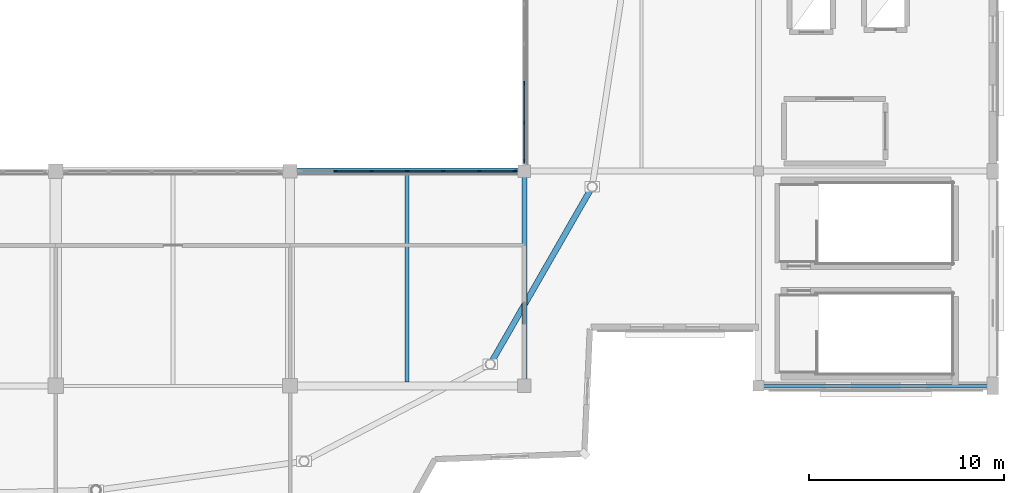
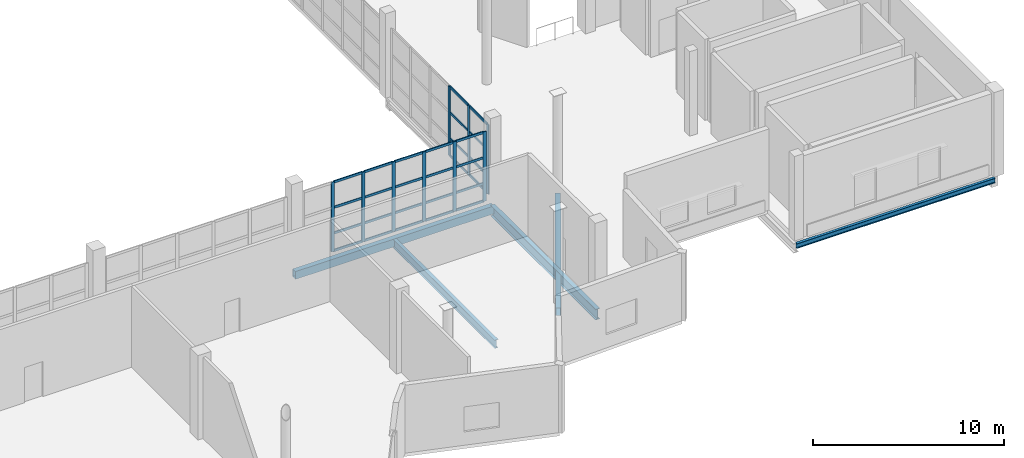
# One storey, part 18 of 49: 37 members, 5 beams, 2 elements without a shape of their own.
"""IFC4 building model written with IfcOpenShell, lengths in metres."""

from ifc_helpers import new_model, si_unit, direction, frame, origin, origin_2d, place, context, subcontext, project, spatial, rectangle, hollow_rectangle, i_section, extrude, material, material_profile, profile_set, type_object, element, aggregate, save


model = new_model("IFC4")

# Units and contexts
model_context = context("Model", 3, precision=1e-05, world=origin(), true_north=direction((0.0, 1.0)))
body_context = subcontext(model_context, "Body", "Model", "MODEL_VIEW")
ifc_project = project(units=[si_unit("LENGTHUNIT", "METRE"), si_unit("AREAUNIT", "SQUARE_METRE"), si_unit("VOLUMEUNIT", "CUBIC_METRE"), si_unit("PLANEANGLEUNIT", "RADIAN"), si_unit("MASSUNIT", "GRAM", prefix="KILO")], contexts=[model_context])

# Site, building, storey
site_placement = place(None, origin())
site = spatial("IfcSite", under=ifc_project, at=site_placement, CompositionType="ELEMENT")
building_placement = place(site_placement, origin())
building = spatial("IfcBuilding", under=site, at=building_placement, Name="Luwafu Chhajja Arena", CompositionType="ELEMENT")
storey_placement = place(building_placement, frame((0.0, 0.0, 24.300048828125)))
storey = spatial("IfcBuildingStorey", under=building, at=storey_placement, Name="L05", CompositionType="ELEMENT", Elevation=24.300048828125)

# Curtain wall, members
ifc_material_1 = material(Name="Anodised bronze aluminium", Category="aluminium")
curtain_wall_type = type_object("IfcCurtainWallType", Name="VIP Club Terrace Curtain Wall", PredefinedType="USERDEFINED", material=ifc_material_1)
curtain_wall_1_placement = place(storey_placement, origin())
curtain_wall_1 = element("IfcCurtainWall", 1, at=curtain_wall_1_placement, inside=storey, type_object=curtain_wall_type, Name="L05 Bowl Viewing Curtain Wall CWR-L05-07", ObjectType="CURTAIN WALL", PredefinedType="USERDEFINED")
ifc_material_profile_1 = material_profile(ifc_material_1, rectangle(XDim=0.06494140625, YDim=0.199951171875, at=origin_2d()), Name="CWM 65x200")
ifc_profile_set_1 = profile_set([ifc_material_profile_1], Name="Anodised bronze aluminium")
member_type_1 = type_object("IfcMemberType", Name="Bronze Curtain Wall Mullion 65x200", PredefinedType="MULLION", material=ifc_profile_set_1)
member_1_placement = place(storey_placement, frame((130.330810546875, 22.0, 0.0), z_axis=(0.0, 0.0, 1.0), x_axis=(0.0, 1.0, 0.0)))
member_1 = element("IfcMember", 2, at=member_1_placement, type_object=member_type_1, Name="CW-10 mullion 2", PredefinedType="MULLION", context=body_context, shape_type="SweptSolid", body=[
    extrude(rectangle(XDim=0.06494140625, YDim=0.199951171875, at=origin_2d()), origin(), (0.0, 0.0, 1.0), 4.449951171875),
])
member_2_placement = place(storey_placement, frame((132.171630859375, 22.0, 0.0), z_axis=(0.0, 0.0, 1.0), x_axis=(0.0, 1.0, 0.0)))
member_2 = element("IfcMember", 3, at=member_2_placement, type_object=member_type_1, Name="CW-10 mullion 3", PredefinedType="MULLION", context=body_context, shape_type="SweptSolid", body=[
    extrude(rectangle(XDim=0.06494140625, YDim=0.199951171875, at=origin_2d()), origin(), (0.0, 0.0, 1.0), 4.449951171875),
])
member_3_placement = place(storey_placement, frame((134.012451171875, 22.0, 0.0), z_axis=(0.0, 0.0, 1.0), x_axis=(0.0, 1.0, 0.0)))
member_3 = element("IfcMember", 4, at=member_3_placement, type_object=member_type_1, Name="CW-10 mullion 4", PredefinedType="MULLION", context=body_context, shape_type="SweptSolid", body=[
    extrude(rectangle(XDim=0.06494140625, YDim=0.199951171875, at=origin_2d()), origin(), (0.0, 0.0, 1.0), 4.449951171875),
])
member_4_placement = place(storey_placement, frame((135.853271484375, 22.0, 0.0), z_axis=(0.0, 0.0, 1.0), x_axis=(0.0, 1.0, 0.0)))
member_4 = element("IfcMember", 5, at=member_4_placement, type_object=member_type_1, Name="CW-10 mullion 5", PredefinedType="MULLION", context=body_context, shape_type="SweptSolid", body=[
    extrude(rectangle(XDim=0.06494140625, YDim=0.199951171875, at=origin_2d()), origin(), (0.0, 0.0, 1.0), 4.449951171875),
])
member_5_placement = place(storey_placement, frame((137.694091796875, 22.0, 0.0), z_axis=(0.0, 0.0, 1.0), x_axis=(0.0, 1.0, 0.0)))
member_5 = element("IfcMember", 6, at=member_5_placement, type_object=member_type_1, Name="CW-10 mullion 6", PredefinedType="MULLION", context=body_context, shape_type="SweptSolid", body=[
    extrude(rectangle(XDim=0.06494140625, YDim=0.199951171875, at=origin_2d()), origin(), (0.0, 0.0, 1.0), 4.449951171875),
])
member_6_placement = place(storey_placement, frame((139.50244140625, 22.0, 0.0), z_axis=(0.0, 0.0, 1.0), x_axis=(0.0, 1.0, 0.0)))
member_6 = element("IfcMember", 7, at=member_6_placement, type_object=member_type_1, Name="CW-10 mullion 7", PredefinedType="MULLION", context=body_context, shape_type="SweptSolid", body=[
    extrude(rectangle(XDim=0.06494140625, YDim=0.199951171875, at=origin_2d()), origin(), (0.0, 0.0, 1.0), 4.449951171875),
])

curtain_wall_2_placement = place(storey_placement, origin())
curtain_wall_2 = element("IfcCurtainWall", 8, at=curtain_wall_2_placement, inside=storey, type_object=curtain_wall_type, Name="L05 Bowl Viewing Curtain Wall CWR-L05-20", ObjectType="CURTAIN WALL", PredefinedType="USERDEFINED")
member_7_placement = place(storey_placement, frame((140.0, 22.49755859375, 0.0), z_axis=(0.0, 0.0, 1.0), x_axis=(-1.0, 0.0, 0.0)))
member_7 = element("IfcMember", 9, at=member_7_placement, type_object=member_type_1, Name="CW-10 mullion 1", PredefinedType="MULLION", context=body_context, shape_type="SweptSolid", body=[
    extrude(rectangle(XDim=0.06494140625, YDim=0.199951171875, at=origin_2d()), origin(), (0.0, 0.0, 1.0), 4.449951171875),
])
member_8_placement = place(storey_placement, frame((140.0, 24.48388671875, 0.0), z_axis=(0.0, 0.0, 1.0), x_axis=(-1.0, 0.0, 0.0)))
member_8 = element("IfcMember", 10, at=member_8_placement, type_object=member_type_1, Name="CW-10 mullion 2", PredefinedType="MULLION", context=body_context, shape_type="SweptSolid", body=[
    extrude(rectangle(XDim=0.06494140625, YDim=0.199951171875, at=origin_2d()), origin(), (0.0, 0.0, 1.0), 4.449951171875),
])
member_9_placement = place(storey_placement, frame((140.0, 26.5029296875, 0.0), z_axis=(0.0, 0.0, 1.0), x_axis=(-1.0, 0.0, 0.0)))
member_9 = element("IfcMember", 11, at=member_9_placement, type_object=member_type_1, Name="CW-10 mullion 3", PredefinedType="MULLION", context=body_context, shape_type="SweptSolid", body=[
    extrude(rectangle(XDim=0.06494140625, YDim=0.199951171875, at=origin_2d()), origin(), (0.0, 0.0, 1.0), 4.449951171875),
])

# Member
ifc_material_profile_2 = material_profile(ifc_material_1, rectangle(XDim=0.06494140625, YDim=0.14990234375, at=origin_2d()), Name="CWT 65x150")
ifc_profile_set_2 = profile_set([ifc_material_profile_2], Name="Anodised bronze aluminium")
member_type_2 = type_object("IfcMemberType", Name="Bronze Curtain Wall Transom 65x150", PredefinedType="USERDEFINED", material=ifc_profile_set_2)
member_10_placement = place(storey_placement, frame((130.36328125, 22.0, 0.032470703125), z_axis=(1.0, 0.0, 0.0), x_axis=(0.0, 1.0, 0.0)))
member_10 = element("IfcMember", 12, at=member_10_placement, type_object=member_type_2, Name="CW-10 transom 2.1", ObjectType="TRANSOM", PredefinedType="USERDEFINED", context=body_context, shape_type="SweptSolid", body=[
    extrude(rectangle(XDim=0.06494140625, YDim=0.14990234375, at=origin_2d()), origin(), (0.0, 0.0, 1.0), 1.77587890625),
])

member_11_placement = place(storey_placement, frame((130.36328125, 22.0, 1.14990234375), z_axis=(1.0, 0.0, 0.0), x_axis=(0.0, 1.0, 0.0)))
member_11 = element("IfcMember", 13, at=member_11_placement, type_object=member_type_2, Name="CW-10 transom 2.2", ObjectType="TRANSOM", PredefinedType="USERDEFINED", context=body_context, shape_type="SweptSolid", body=[
    extrude(rectangle(XDim=0.06494140625, YDim=0.14990234375, at=origin_2d()), origin(), (0.0, 0.0, 1.0), 1.77587890625),
])

member_12_placement = place(storey_placement, frame((130.36328125, 22.0, 2.800048828125), z_axis=(1.0, 0.0, 0.0), x_axis=(0.0, 1.0, 0.0)))
member_12 = element("IfcMember", 14, at=member_12_placement, type_object=member_type_2, Name="CW-10 transom 2.3", ObjectType="TRANSOM", PredefinedType="USERDEFINED", context=body_context, shape_type="SweptSolid", body=[
    extrude(rectangle(XDim=0.06494140625, YDim=0.14990234375, at=origin_2d()), origin(), (0.0, 0.0, 1.0), 1.77587890625),
])

member_13_placement = place(storey_placement, frame((130.36328125, 22.0, 4.41748046875), z_axis=(1.0, 0.0, 0.0), x_axis=(0.0, 1.0, 0.0)))
member_13 = element("IfcMember", 15, at=member_13_placement, type_object=member_type_2, Name="CW-10 transom 2.4", ObjectType="TRANSOM", PredefinedType="USERDEFINED", context=body_context, shape_type="SweptSolid", body=[
    extrude(rectangle(XDim=0.06494140625, YDim=0.14990234375, at=origin_2d()), origin(), (0.0, 0.0, 1.0), 1.77587890625),
])

member_14_placement = place(storey_placement, frame((132.2041015625, 22.0, 0.032470703125), z_axis=(1.0, 0.0, 0.0), x_axis=(0.0, 1.0, 0.0)))
member_14 = element("IfcMember", 16, at=member_14_placement, type_object=member_type_2, Name="CW-10 transom 3.1", ObjectType="TRANSOM", PredefinedType="USERDEFINED", context=body_context, shape_type="SweptSolid", body=[
    extrude(rectangle(XDim=0.06494140625, YDim=0.14990234375, at=origin_2d()), origin(), (0.0, 0.0, 1.0), 1.77587890625),
])

member_15_placement = place(storey_placement, frame((132.2041015625, 22.0, 1.14990234375), z_axis=(1.0, 0.0, 0.0), x_axis=(0.0, 1.0, 0.0)))
member_15 = element("IfcMember", 17, at=member_15_placement, type_object=member_type_2, Name="CW-10 transom 3.2", ObjectType="TRANSOM", PredefinedType="USERDEFINED", context=body_context, shape_type="SweptSolid", body=[
    extrude(rectangle(XDim=0.06494140625, YDim=0.14990234375, at=origin_2d()), origin(), (0.0, 0.0, 1.0), 1.77587890625),
])

member_16_placement = place(storey_placement, frame((132.2041015625, 22.0, 2.800048828125), z_axis=(1.0, 0.0, 0.0), x_axis=(0.0, 1.0, 0.0)))
member_16 = element("IfcMember", 18, at=member_16_placement, type_object=member_type_2, Name="CW-10 transom 3.3", ObjectType="TRANSOM", PredefinedType="USERDEFINED", context=body_context, shape_type="SweptSolid", body=[
    extrude(rectangle(XDim=0.06494140625, YDim=0.14990234375, at=origin_2d()), origin(), (0.0, 0.0, 1.0), 1.77587890625),
])

member_17_placement = place(storey_placement, frame((132.2041015625, 22.0, 4.41748046875), z_axis=(1.0, 0.0, 0.0), x_axis=(0.0, 1.0, 0.0)))
member_17 = element("IfcMember", 19, at=member_17_placement, type_object=member_type_2, Name="CW-10 transom 3.4", ObjectType="TRANSOM", PredefinedType="USERDEFINED", context=body_context, shape_type="SweptSolid", body=[
    extrude(rectangle(XDim=0.06494140625, YDim=0.14990234375, at=origin_2d()), origin(), (0.0, 0.0, 1.0), 1.77587890625),
])

member_18_placement = place(storey_placement, frame((134.044921875, 22.0, 0.032470703125), z_axis=(1.0, 0.0, 0.0), x_axis=(0.0, 1.0, 0.0)))
member_18 = element("IfcMember", 20, at=member_18_placement, type_object=member_type_2, Name="CW-10 transom 4.1", ObjectType="TRANSOM", PredefinedType="USERDEFINED", context=body_context, shape_type="SweptSolid", body=[
    extrude(rectangle(XDim=0.06494140625, YDim=0.14990234375, at=origin_2d()), origin(), (0.0, 0.0, 1.0), 1.77587890625),
])

member_19_placement = place(storey_placement, frame((134.044921875, 22.0, 1.14990234375), z_axis=(1.0, 0.0, 0.0), x_axis=(0.0, 1.0, 0.0)))
member_19 = element("IfcMember", 21, at=member_19_placement, type_object=member_type_2, Name="CW-10 transom 4.2", ObjectType="TRANSOM", PredefinedType="USERDEFINED", context=body_context, shape_type="SweptSolid", body=[
    extrude(rectangle(XDim=0.06494140625, YDim=0.14990234375, at=origin_2d()), origin(), (0.0, 0.0, 1.0), 1.77587890625),
])

member_20_placement = place(storey_placement, frame((134.044921875, 22.0, 2.800048828125), z_axis=(1.0, 0.0, 0.0), x_axis=(0.0, 1.0, 0.0)))
member_20 = element("IfcMember", 22, at=member_20_placement, type_object=member_type_2, Name="CW-10 transom 4.3", ObjectType="TRANSOM", PredefinedType="USERDEFINED", context=body_context, shape_type="SweptSolid", body=[
    extrude(rectangle(XDim=0.06494140625, YDim=0.14990234375, at=origin_2d()), origin(), (0.0, 0.0, 1.0), 1.77587890625),
])

member_21_placement = place(storey_placement, frame((134.044921875, 22.0, 4.41748046875), z_axis=(1.0, 0.0, 0.0), x_axis=(0.0, 1.0, 0.0)))
member_21 = element("IfcMember", 23, at=member_21_placement, type_object=member_type_2, Name="CW-10 transom 4.4", ObjectType="TRANSOM", PredefinedType="USERDEFINED", context=body_context, shape_type="SweptSolid", body=[
    extrude(rectangle(XDim=0.06494140625, YDim=0.14990234375, at=origin_2d()), origin(), (0.0, 0.0, 1.0), 1.77587890625),
])

member_22_placement = place(storey_placement, frame((135.8857421875, 22.0, 0.032470703125), z_axis=(1.0, 0.0, 0.0), x_axis=(0.0, 1.0, 0.0)))
member_22 = element("IfcMember", 24, at=member_22_placement, type_object=member_type_2, Name="CW-10 transom 5.1", ObjectType="TRANSOM", PredefinedType="USERDEFINED", context=body_context, shape_type="SweptSolid", body=[
    extrude(rectangle(XDim=0.06494140625, YDim=0.14990234375, at=origin_2d()), origin(), (0.0, 0.0, 1.0), 1.77587890625),
])

member_23_placement = place(storey_placement, frame((135.8857421875, 22.0, 1.14990234375), z_axis=(1.0, 0.0, 0.0), x_axis=(0.0, 1.0, 0.0)))
member_23 = element("IfcMember", 25, at=member_23_placement, type_object=member_type_2, Name="CW-10 transom 5.2", ObjectType="TRANSOM", PredefinedType="USERDEFINED", context=body_context, shape_type="SweptSolid", body=[
    extrude(rectangle(XDim=0.06494140625, YDim=0.14990234375, at=origin_2d()), origin(), (0.0, 0.0, 1.0), 1.77587890625),
])

member_24_placement = place(storey_placement, frame((135.8857421875, 22.0, 2.800048828125), z_axis=(1.0, 0.0, 0.0), x_axis=(0.0, 1.0, 0.0)))
member_24 = element("IfcMember", 26, at=member_24_placement, type_object=member_type_2, Name="CW-10 transom 5.3", ObjectType="TRANSOM", PredefinedType="USERDEFINED", context=body_context, shape_type="SweptSolid", body=[
    extrude(rectangle(XDim=0.06494140625, YDim=0.14990234375, at=origin_2d()), origin(), (0.0, 0.0, 1.0), 1.77587890625),
])

member_25_placement = place(storey_placement, frame((135.8857421875, 22.0, 4.41748046875), z_axis=(1.0, 0.0, 0.0), x_axis=(0.0, 1.0, 0.0)))
member_25 = element("IfcMember", 27, at=member_25_placement, type_object=member_type_2, Name="CW-10 transom 5.4", ObjectType="TRANSOM", PredefinedType="USERDEFINED", context=body_context, shape_type="SweptSolid", body=[
    extrude(rectangle(XDim=0.06494140625, YDim=0.14990234375, at=origin_2d()), origin(), (0.0, 0.0, 1.0), 1.77587890625),
])

member_26_placement = place(storey_placement, frame((137.7265625, 22.0, 0.032470703125), z_axis=(1.0, 0.0, 0.0), x_axis=(0.0, 1.0, 0.0)))
member_26 = element("IfcMember", 28, at=member_26_placement, type_object=member_type_2, Name="CW-10 transom 6.1", ObjectType="TRANSOM", PredefinedType="USERDEFINED", context=body_context, shape_type="SweptSolid", body=[
    extrude(rectangle(XDim=0.06494140625, YDim=0.14990234375, at=origin_2d()), origin(), (0.0, 0.0, 1.0), 1.743408203125),
])

member_27_placement = place(storey_placement, frame((137.7265625, 22.0, 1.14990234375), z_axis=(1.0, 0.0, 0.0), x_axis=(0.0, 1.0, 0.0)))
member_27 = element("IfcMember", 29, at=member_27_placement, type_object=member_type_2, Name="CW-10 transom 6.2", ObjectType="TRANSOM", PredefinedType="USERDEFINED", context=body_context, shape_type="SweptSolid", body=[
    extrude(rectangle(XDim=0.06494140625, YDim=0.14990234375, at=origin_2d()), origin(), (0.0, 0.0, 1.0), 1.743408203125),
])

member_28_placement = place(storey_placement, frame((137.7265625, 22.0, 2.800048828125), z_axis=(1.0, 0.0, 0.0), x_axis=(0.0, 1.0, 0.0)))
member_28 = element("IfcMember", 30, at=member_28_placement, type_object=member_type_2, Name="CW-10 transom 6.3", ObjectType="TRANSOM", PredefinedType="USERDEFINED", context=body_context, shape_type="SweptSolid", body=[
    extrude(rectangle(XDim=0.06494140625, YDim=0.14990234375, at=origin_2d()), origin(), (0.0, 0.0, 1.0), 1.743408203125),
])

member_29_placement = place(storey_placement, frame((137.7265625, 22.0, 4.41748046875), z_axis=(1.0, 0.0, 0.0), x_axis=(0.0, 1.0, 0.0)))
member_29 = element("IfcMember", 31, at=member_29_placement, type_object=member_type_2, Name="CW-10 transom 6.4", ObjectType="TRANSOM", PredefinedType="USERDEFINED", context=body_context, shape_type="SweptSolid", body=[
    extrude(rectangle(XDim=0.06494140625, YDim=0.14990234375, at=origin_2d()), origin(), (0.0, 0.0, 1.0), 1.743408203125),
])

aggregate(curtain_wall_1, [member_1, member_2, member_3, member_4, member_5, member_6, member_10, member_11, member_12, member_13, member_14, member_15, member_16, member_17, member_18, member_19, member_20, member_21, member_22, member_23, member_24, member_25, member_26, member_27, member_28, member_29])

member_30_placement = place(storey_placement, frame((140.0, 22.530029296875, 0.032470703125), z_axis=(0.0, 1.0, 0.0), x_axis=(-1.0, 0.0, 0.0)))
member_30 = element("IfcMember", 32, at=member_30_placement, type_object=member_type_2, Name="CW-10 transom 1.1", ObjectType="TRANSOM", PredefinedType="USERDEFINED", context=body_context, shape_type="SweptSolid", body=[
    extrude(rectangle(XDim=0.06494140625, YDim=0.14990234375, at=origin_2d()), origin(), (0.0, 0.0, 1.0), 1.92138671875),
])

member_31_placement = place(storey_placement, frame((140.0, 22.530029296875, 1.14990234375), z_axis=(0.0, 1.0, 0.0), x_axis=(-1.0, 0.0, 0.0)))
member_31 = element("IfcMember", 33, at=member_31_placement, type_object=member_type_2, Name="CW-10 transom 1.2", ObjectType="TRANSOM", PredefinedType="USERDEFINED", context=body_context, shape_type="SweptSolid", body=[
    extrude(rectangle(XDim=0.06494140625, YDim=0.14990234375, at=origin_2d()), origin(), (0.0, 0.0, 1.0), 1.92138671875),
])

member_32_placement = place(storey_placement, frame((140.0, 22.530029296875, 2.800048828125), z_axis=(0.0, 1.0, 0.0), x_axis=(-1.0, 0.0, 0.0)))
member_32 = element("IfcMember", 34, at=member_32_placement, type_object=member_type_2, Name="CW-10 transom 1.3", ObjectType="TRANSOM", PredefinedType="USERDEFINED", context=body_context, shape_type="SweptSolid", body=[
    extrude(rectangle(XDim=0.06494140625, YDim=0.14990234375, at=origin_2d()), origin(), (0.0, 0.0, 1.0), 1.92138671875),
])

member_33_placement = place(storey_placement, frame((140.0, 22.530029296875, 4.41748046875), z_axis=(0.0, 1.0, 0.0), x_axis=(-1.0, 0.0, 0.0)))
member_33 = element("IfcMember", 35, at=member_33_placement, type_object=member_type_2, Name="CW-10 transom 1.4", ObjectType="TRANSOM", PredefinedType="USERDEFINED", context=body_context, shape_type="SweptSolid", body=[
    extrude(rectangle(XDim=0.06494140625, YDim=0.14990234375, at=origin_2d()), origin(), (0.0, 0.0, 1.0), 1.92138671875),
])

member_34_placement = place(storey_placement, frame((140.0, 24.5166015625, 0.032470703125), z_axis=(0.0, 1.0, 0.0), x_axis=(-1.0, 0.0, 0.0)))
member_34 = element("IfcMember", 36, at=member_34_placement, type_object=member_type_2, Name="CW-10 transom 2.1", ObjectType="TRANSOM", PredefinedType="USERDEFINED", context=body_context, shape_type="SweptSolid", body=[
    extrude(rectangle(XDim=0.06494140625, YDim=0.14990234375, at=origin_2d()), origin(), (0.0, 0.0, 1.0), 1.953857421875),
])

member_35_placement = place(storey_placement, frame((140.0, 24.5166015625, 1.14990234375), z_axis=(0.0, 1.0, 0.0), x_axis=(-1.0, 0.0, 0.0)))
member_35 = element("IfcMember", 37, at=member_35_placement, type_object=member_type_2, Name="CW-10 transom 2.2", ObjectType="TRANSOM", PredefinedType="USERDEFINED", context=body_context, shape_type="SweptSolid", body=[
    extrude(rectangle(XDim=0.06494140625, YDim=0.14990234375, at=origin_2d()), origin(), (0.0, 0.0, 1.0), 1.953857421875),
])

member_36_placement = place(storey_placement, frame((140.0, 24.5166015625, 2.800048828125), z_axis=(0.0, 1.0, 0.0), x_axis=(-1.0, 0.0, 0.0)))
member_36 = element("IfcMember", 38, at=member_36_placement, type_object=member_type_2, Name="CW-10 transom 2.3", ObjectType="TRANSOM", PredefinedType="USERDEFINED", context=body_context, shape_type="SweptSolid", body=[
    extrude(rectangle(XDim=0.06494140625, YDim=0.14990234375, at=origin_2d()), origin(), (0.0, 0.0, 1.0), 1.953857421875),
])

member_37_placement = place(storey_placement, frame((140.0, 24.5166015625, 4.41748046875), z_axis=(0.0, 1.0, 0.0), x_axis=(-1.0, 0.0, 0.0)))
member_37 = element("IfcMember", 39, at=member_37_placement, type_object=member_type_2, Name="CW-10 transom 2.4", ObjectType="TRANSOM", PredefinedType="USERDEFINED", context=body_context, shape_type="SweptSolid", body=[
    extrude(rectangle(XDim=0.06494140625, YDim=0.14990234375, at=origin_2d()), origin(), (0.0, 0.0, 1.0), 1.953857421875),
])

aggregate(curtain_wall_2, [member_7, member_8, member_9, member_30, member_31, member_32, member_33, member_34, member_35, member_36, member_37])

# Beams
ifc_material_2 = material(Name="Steel S355", Category="steel")
ifc_material_profile_3 = material_profile(ifc_material_2, i_section(OverallWidth=0.165771484375, OverallDepth=0.306640625, WebThickness=0.006591796875, FlangeThickness=0.01171875, at=origin_2d()), Name="UB 305x165x46")
ifc_profile_set_3 = profile_set([ifc_material_profile_3], Name="Steel S355")
beam_type_1 = type_object("IfcBeamType", Name="Concourse Edge Spandrel Beam UB 305x165x46", PredefinedType="SPANDREL", material=ifc_profile_set_3)
beam_1_placement = place(storey_placement, frame((152.0, 11.0, -0.54345703125), z_axis=(1.0, 0.0, 0.0), x_axis=(0.0, 1.0, 0.0)))
element("IfcBeam", 40, at=beam_1_placement, inside=storey, type_object=beam_type_1, Name="L05 Grid Beam 14-15/B", PredefinedType="SPANDREL", context=body_context, shape_type="SweptSolid", body=[
    extrude(i_section(OverallWidth=0.165771484375, OverallDepth=0.306640625, WebThickness=0.006591796875, FlangeThickness=0.01171875, at=origin_2d()), origin(), (0.0, 0.0, 1.0), 12.0),
])
ifc_material_profile_4 = material_profile(ifc_material_2, i_section(OverallWidth=0.209228515625, OverallDepth=0.533203125, WebThickness=0.010009765625, FlangeThickness=0.015625, at=origin_2d()), Name="UB 533x210x92")
ifc_profile_set_4 = profile_set([ifc_material_profile_4], Name="Steel S355")
beam_type_2 = type_object("IfcBeamType", Name="Floor Joist UB 533x210x92", PredefinedType="JOIST", material=ifc_profile_set_4)
beam_2_placement = place(storey_placement, frame((134.0, 11.199951171875, -0.656494140625), z_axis=(0.0, 1.0, 0.0), x_axis=(-1.0, 0.0, 0.0)))
element("IfcBeam", 41, at=beam_2_placement, inside=storey, type_object=beam_type_2, Name="L05 Secondary Joist 12-13/B", PredefinedType="JOIST", context=body_context, shape_type="SweptSolid", body=[
    extrude(i_section(OverallWidth=0.209228515625, OverallDepth=0.533203125, WebThickness=0.010009765625, FlangeThickness=0.015625, at=origin_2d()), origin(), (0.0, 0.0, 1.0), 10.650146484375),
])
ifc_material_profile_5 = material_profile(ifc_material_2, hollow_rectangle(XDim=0.300048828125, YDim=0.5, WallThickness=0.02001953125, at=origin_2d()), Name="RHS 500x300x20")
ifc_profile_set_5 = profile_set([ifc_material_profile_5], Name="Steel S355")
beam_type_3 = type_object("IfcBeamType", Name="Pleated Drum Spandrel Beam RHS 500x300", PredefinedType="SPANDREL", material=ifc_profile_set_5)
beam_3_placement = place(storey_placement, frame((128.0, 22.0, -0.64013671875), z_axis=(1.0, 0.0, 0.0), x_axis=(0.0, 1.0, 0.0)))
element("IfcBeam", 42, at=beam_3_placement, inside=storey, type_object=beam_type_3, Name="L05 Grid Beam 12-13/C", PredefinedType="SPANDREL", context=body_context, shape_type="SweptSolid", body=[
    extrude(hollow_rectangle(XDim=0.300048828125, YDim=0.5, WallThickness=0.02001953125, at=origin_2d()), origin(), (0.0, 0.0, 1.0), 12.0),
])
beam_4_placement = place(storey_placement, frame((138.256103515625, 12.109130859375, -0.64013671875), z_axis=(0.498192671921, 0.867066353657, 0.0), x_axis=(-0.867066353657, 0.498192671921, 0.0)))
element("IfcBeam", 43, at=beam_4_placement, inside=storey, type_object=beam_type_3, Name="L05 Drum Ring Spandrel D29-D30", PredefinedType="SPANDREL", context=body_context, shape_type="SweptSolid", body=[
    extrude(hollow_rectangle(XDim=0.300048828125, YDim=0.5, WallThickness=0.02001953125, at=origin_2d()), origin(), (0.0, 0.0, 1.0), 10.477783203125),
])
ifc_material_profile_6 = material_profile(ifc_material_2, i_section(OverallWidth=0.253662109375, OverallDepth=0.68359375, WebThickness=0.012451171875, FlangeThickness=0.01904296875, at=origin_2d()), Name="UB 686x254x140")
ifc_profile_set_6 = profile_set([ifc_material_profile_6], Name="Steel S355")
beam_type_4 = type_object("IfcBeamType", Name="Steel Concourse Girder UB 686x254x140", PredefinedType="BEAM", material=ifc_profile_set_6)
beam_5_placement = place(storey_placement, frame((140.0, 11.0, -0.73193359375), z_axis=(0.0, 1.0, 0.0), x_axis=(-1.0, 0.0, 0.0)))
element("IfcBeam", 44, at=beam_5_placement, inside=storey, type_object=beam_type_4, Name="L05 Grid Beam 13/B-C", PredefinedType="BEAM", context=body_context, shape_type="SweptSolid", body=[
    extrude(i_section(OverallWidth=0.253662109375, OverallDepth=0.68359375, WebThickness=0.012451171875, FlangeThickness=0.01904296875, at=origin_2d()), origin(), (0.0, 0.0, 1.0), 11.0),
])

save(model, "model.ifc")
